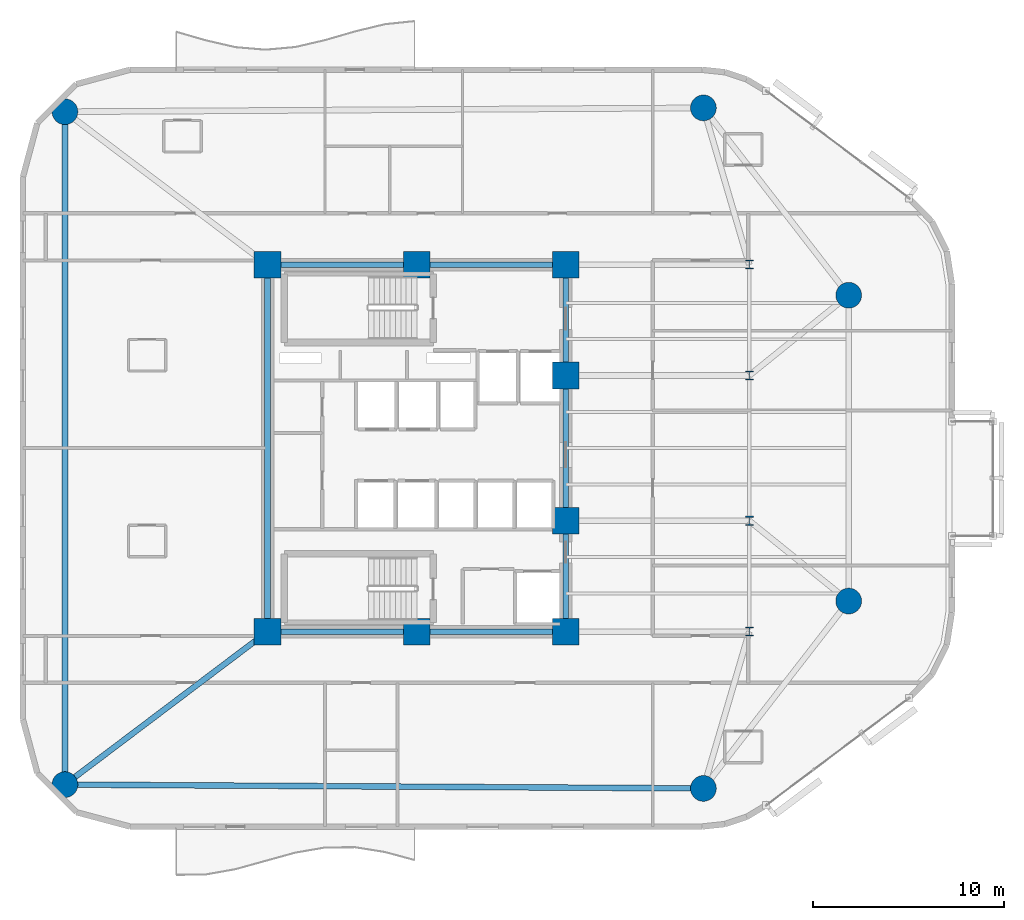
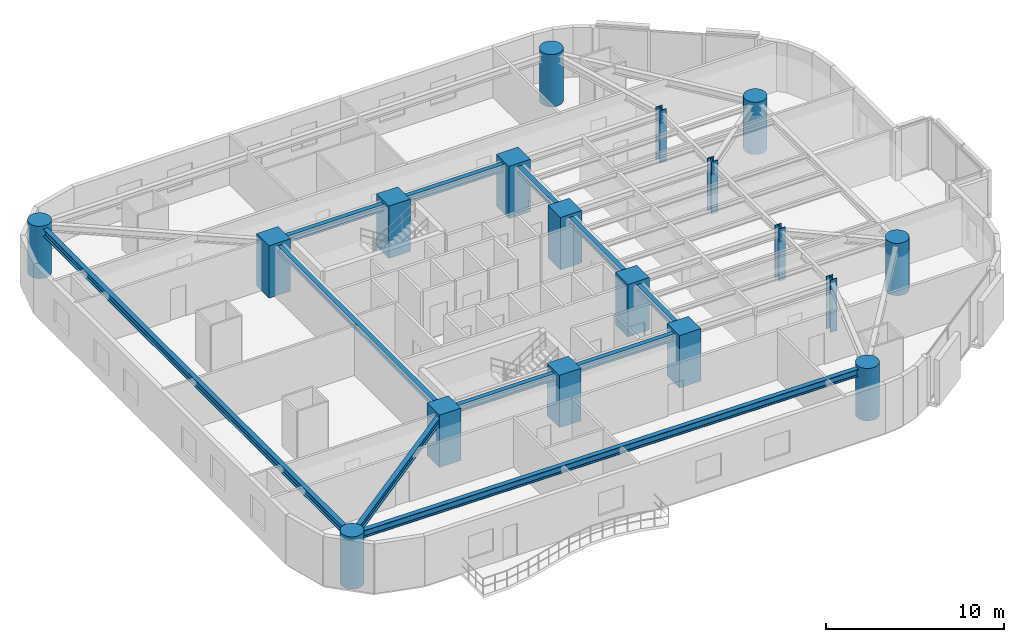
# One storey, part 1 of 13: 18 columns, 9 beams.
"""IFC4 building model written with IfcOpenShell, lengths in metres."""

from ifc_helpers import new_model, si_unit, direction, frame, origin, origin_2d, place, context, subcontext, project, spatial, rectangle, circle, i_section, extrude, material, material_profile, profile_set, type_object, element, save


model = new_model("IFC4")

# Units and contexts
model_context = context("Model", 3, precision=1e-05, world=origin(), true_north=direction((0.0, 1.0)))
body_context = subcontext(model_context, "Body", "Model", "MODEL_VIEW")
ifc_project = project(units=[si_unit("LENGTHUNIT", "METRE"), si_unit("AREAUNIT", "SQUARE_METRE"), si_unit("VOLUMEUNIT", "CUBIC_METRE"), si_unit("PLANEANGLEUNIT", "RADIAN"), si_unit("MASSUNIT", "GRAM", prefix="KILO")], contexts=[model_context])

# Site, building, storey
site_placement = place(None, origin())
site = spatial("IfcSite", under=ifc_project, at=site_placement, CompositionType="ELEMENT")
building_placement = place(site_placement, origin())
building = spatial("IfcBuilding", under=site, at=building_placement, Name="An Khanh Terracotta Commons", CompositionType="ELEMENT")
storey_placement = place(building_placement, frame((0.0, 0.0, 125.89990234375)))
storey = spatial("IfcBuildingStorey", under=building, at=storey_placement, Name="L33", CompositionType="ELEMENT", Elevation=125.89990234375)

# Columns
ifc_material_1 = material(Name="Concrete C70/85", Category="concrete")
ifc_material_profile_1 = material_profile(ifc_material_1, circle(Radius=0.675048828125, at=origin_2d()), Name="CFST1350")
ifc_profile_set_1 = profile_set([ifc_material_profile_1], Name="Concrete C70/85")
column_type_1 = type_object("IfcColumnType", Name="COL-CFST1350", PredefinedType="COLUMN", material=ifc_profile_set_1)
for number, where, z_axis, x_axis, name in (
    (1, (11.0, 6.39990234375, 0.0), (0.0, 0.0, 1.0), (1.0, 0.0, 0.0), "L33 Perimeter CFST Mega-Column MC-01"),
    (2, (44.39990234375, 6.199951171875, 0.0), (0.0, 0.0, 1.0), (1.0, 0.0, 0.0), "L33 Perimeter CFST Mega-Column MC-02"),
    (3, (52.0, 16.0, 0.0), (0.0, 0.0, 1.0), (1.0, 0.0, 0.0), "L33 Perimeter CFST Mega-Column MC-03"),
    (4, (52.0, 32.0, 0.0), (0.0, 0.0, 1.0), (1.0, 0.0, 0.0), "L33 Perimeter CFST Mega-Column MC-04"),
    (5, (44.39990234375, 41.800048828125, 0.0), (0.0, 0.0, 1.0), (1.0, 0.0, 0.0), "L33 Perimeter CFST Mega-Column MC-05"),
    (6, (11.0, 41.60009765625, 0.0), (0.0, 0.0, 1.0), (1.0, 0.0, 0.0), "L33 Perimeter CFST Mega-Column MC-06"),
):
    element("IfcColumn", number, at=place(storey_placement, frame(where, z_axis=z_axis, x_axis=x_axis)), inside=storey, type_object=column_type_1, Name=name, PredefinedType="COLUMN", context=body_context, shape_type="SweptSolid", body=[
        extrude(circle(Radius=0.675048828125, at=origin_2d()), origin(), (0.0, 0.0, 1.0), 3.60009765625),
    ])
ifc_material_2 = material(Name="Steel S460ML", Category="steel")
ifc_material_profile_2 = material_profile(ifc_material_2, i_section(OverallWidth=0.4169921875, OverallDepth=0.47705078125, WebThickness=0.035888671875, FlangeThickness=0.057373046875, FilletRadius=0.014892578125, at=origin_2d()), Name="HD400x463")
ifc_profile_set_2 = profile_set([ifc_material_profile_2], Name="Steel S460ML")
column_type_2 = type_object("IfcColumnType", Name="COL-HD400x463", PredefinedType="COLUMN", material=ifc_profile_set_2)
for number, where, z_axis, x_axis, name in (
    (7, (46.800048828125, 14.39990234375, 0.0), (0.0, 0.0, 1.0), (1.0, 0.0, 0.0), "L33 Interior Frame Column TC-01"),
    (8, (46.800048828125, 20.199951171875, 0.0), (0.0, 0.0, 1.0), (1.0, 0.0, 0.0), "L33 Interior Frame Column TC-02"),
    (9, (46.800048828125, 27.800048828125, 0.0), (0.0, 0.0, 1.0), (1.0, 0.0, 0.0), "L33 Interior Frame Column TC-03"),
    (10, (46.800048828125, 33.60009765625, 0.0), (0.0, 0.0, 1.0), (1.0, 0.0, 0.0), "L33 Interior Frame Column TC-04"),
):
    element("IfcColumn", number, at=place(storey_placement, frame(where, z_axis=z_axis, x_axis=x_axis)), inside=storey, type_object=column_type_2, Name=name, PredefinedType="COLUMN", context=body_context, shape_type="SweptSolid", body=[
        extrude(i_section(OverallWidth=0.4169921875, OverallDepth=0.47705078125, WebThickness=0.035888671875, FlangeThickness=0.057373046875, FilletRadius=0.014892578125, at=origin_2d()), origin(), (0.0, 0.0, 1.0), 3.60009765625),
    ])
ifc_material_profile_3 = material_profile(ifc_material_1, rectangle(XDim=1.39990234375, YDim=1.39990234375, at=origin_2d()), Name="RC1400x1400")
ifc_profile_set_3 = profile_set([ifc_material_profile_3], Name="Concrete C70/85")
column_type_3 = type_object("IfcColumnType", Name="COL-RC1400x1400", PredefinedType="COLUMN", material=ifc_profile_set_3)
for number, where, z_axis, x_axis, name in (
    (11, (21.60009765625, 14.39990234375, 0.0), (0.0, 0.0, 1.0), (1.0, 0.0, 0.0), "L33 Core Boundary Column CC-01"),
    (12, (29.39990234375, 14.39990234375, 0.0), (0.0, 0.0, 1.0), (1.0, 0.0, 0.0), "L33 Core Boundary Column CC-02"),
    (13, (37.199951171875, 14.39990234375, 0.0), (0.0, 0.0, 1.0), (1.0, 0.0, 0.0), "L33 Core Boundary Column CC-03"),
    (14, (37.199951171875, 20.199951171875, 0.0), (0.0, 0.0, 1.0), (1.0, 0.0, 0.0), "L33 Core Boundary Column CC-04"),
    (15, (37.199951171875, 27.800048828125, 0.0), (0.0, 0.0, 1.0), (1.0, 0.0, 0.0), "L33 Core Boundary Column CC-05"),
    (16, (37.199951171875, 33.60009765625, 0.0), (0.0, 0.0, 1.0), (1.0, 0.0, 0.0), "L33 Core Boundary Column CC-06"),
    (17, (29.39990234375, 33.60009765625, 0.0), (0.0, 0.0, 1.0), (1.0, 0.0, 0.0), "L33 Core Boundary Column CC-07"),
    (18, (21.60009765625, 33.60009765625, 0.0), (0.0, 0.0, 1.0), (1.0, 0.0, 0.0), "L33 Core Boundary Column CC-08"),
):
    element("IfcColumn", number, at=place(storey_placement, frame(where, z_axis=z_axis, x_axis=x_axis)), inside=storey, type_object=column_type_3, Name=name, PredefinedType="COLUMN", context=body_context, shape_type="SweptSolid", body=[
        extrude(rectangle(XDim=1.39990234375, YDim=1.39990234375, at=origin_2d()), origin(), (0.0, 0.0, 1.0), 3.60009765625),
    ])

# Beams
ifc_material_3 = material(Name="Steel S355J2", Category="steel")
ifc_material_profile_4 = material_profile(ifc_material_3, i_section(OverallWidth=0.300048828125, OverallDepth=0.449951171875, WebThickness=0.013916015625, FlangeThickness=0.02587890625, FilletRadius=0.027099609375, at=origin_2d()), Name="HEB450")
ifc_profile_set_4 = profile_set([ifc_material_profile_4], Name="Steel S355J2")
beam_type_1 = type_object("IfcBeamType", Name="BM-HEB450", PredefinedType="BEAM", material=ifc_profile_set_4)
beam_1_placement = place(storey_placement, frame((37.199951171875, 14.39990234375, 3.175048828125), z_axis=(0.0, 1.0, 0.0), x_axis=(-1.0, 0.0, 0.0)))
element("IfcBeam", 19, at=beam_1_placement, inside=storey, type_object=beam_type_1, Name="L33 Core East Coupling Girder 1", PredefinedType="BEAM", context=body_context, shape_type="SweptSolid", body=[
    extrude(i_section(OverallWidth=0.300048828125, OverallDepth=0.449951171875, WebThickness=0.013916015625, FlangeThickness=0.02587890625, FilletRadius=0.027099609375, at=origin_2d()), origin(), (0.0, 0.0, 1.0), 5.800048828125),
])
beam_2_placement = place(storey_placement, frame((37.199951171875, 20.199951171875, 3.175048828125), z_axis=(0.0, 1.0, 0.0), x_axis=(-1.0, 0.0, 0.0)))
element("IfcBeam", 20, at=beam_2_placement, inside=storey, type_object=beam_type_1, Name="L33 Core East Coupling Girder 2", PredefinedType="BEAM", context=body_context, shape_type="SweptSolid", body=[
    extrude(i_section(OverallWidth=0.300048828125, OverallDepth=0.449951171875, WebThickness=0.013916015625, FlangeThickness=0.02587890625, FilletRadius=0.027099609375, at=origin_2d()), origin(), (0.0, 0.0, 1.0), 7.60009765625),
])
beam_3_placement = place(storey_placement, frame((37.199951171875, 27.800048828125, 3.175048828125), z_axis=(0.0, 1.0, 0.0), x_axis=(-1.0, 0.0, 0.0)))
element("IfcBeam", 21, at=beam_3_placement, inside=storey, type_object=beam_type_1, Name="L33 Core East Coupling Girder 3", PredefinedType="BEAM", context=body_context, shape_type="SweptSolid", body=[
    extrude(i_section(OverallWidth=0.300048828125, OverallDepth=0.449951171875, WebThickness=0.013916015625, FlangeThickness=0.02587890625, FilletRadius=0.027099609375, at=origin_2d()), origin(), (0.0, 0.0, 1.0), 5.800048828125),
])
beam_4_placement = place(storey_placement, frame((21.60009765625, 14.39990234375, 3.175048828125), z_axis=(0.0, 1.0, 0.0), x_axis=(-1.0, 0.0, 0.0)))
element("IfcBeam", 22, at=beam_4_placement, inside=storey, type_object=beam_type_1, Name="L33 Core West Coupling Girder", PredefinedType="BEAM", context=body_context, shape_type="SweptSolid", body=[
    extrude(i_section(OverallWidth=0.300048828125, OverallDepth=0.449951171875, WebThickness=0.013916015625, FlangeThickness=0.02587890625, FilletRadius=0.027099609375, at=origin_2d()), origin(), (0.0, 0.0, 1.0), 19.2001953125),
])
ifc_material_profile_5 = material_profile(ifc_material_3, i_section(OverallWidth=0.300048828125, OverallDepth=0.5, WebThickness=0.014404296875, FlangeThickness=0.028076171875, FilletRadius=0.027099609375, at=origin_2d()), Name="HEB500")
ifc_profile_set_5 = profile_set([ifc_material_profile_5], Name="Steel S355J2")
beam_type_2 = type_object("IfcBeamType", Name="BM-HEB500", PredefinedType="BEAM", material=ifc_profile_set_5)
for number, where, z_axis, x_axis, name in (
    (23, (21.60009765625, 14.39990234375, 3.150146484375), (1.0, 0.0, 0.0), (0.0, 1.0, 0.0), "L33 Core South Coupling Girder"),
    (24, (21.60009765625, 33.60009765625, 3.150146484375), (1.0, 0.0, 0.0), (0.0, 1.0, 0.0), "L33 Core North Coupling Girder"),
):
    element("IfcBeam", number, at=place(storey_placement, frame(where, z_axis=z_axis, x_axis=x_axis)), inside=storey, type_object=beam_type_2, Name=name, PredefinedType="BEAM", context=body_context, shape_type="SweptSolid", body=[
        extrude(i_section(OverallWidth=0.300048828125, OverallDepth=0.5, WebThickness=0.014404296875, FlangeThickness=0.028076171875, FilletRadius=0.027099609375, at=origin_2d()), origin(), (0.0, 0.0, 1.0), 15.599853515625),
    ])
beam_5_placement = place(storey_placement, frame((11.0, 6.39990234375, 3.150146484375), z_axis=(0.999982080914, -0.005986472262, 0.0), x_axis=(0.005986472262, 0.999982080914, 0.0)))
element("IfcBeam", 25, at=beam_5_placement, inside=storey, type_object=beam_type_2, Name="L33 Perimeter Ring Spandrel 1", PredefinedType="BEAM", context=body_context, shape_type="SweptSolid", body=[
    extrude(i_section(OverallWidth=0.300048828125, OverallDepth=0.5, WebThickness=0.014404296875, FlangeThickness=0.028076171875, FilletRadius=0.027099609375, at=origin_2d()), origin(), (0.0, 0.0, 1.0), 33.400390625),
])
beam_6_placement = place(storey_placement, frame((11.0, 41.60009765625, 3.150146484375), z_axis=(0.0, -1.0, 0.0), x_axis=(1.0, 0.0, 0.0)))
element("IfcBeam", 26, at=beam_6_placement, inside=storey, type_object=beam_type_2, Name="L33 Perimeter Ring Spandrel 6", PredefinedType="BEAM", context=body_context, shape_type="SweptSolid", body=[
    extrude(i_section(OverallWidth=0.300048828125, OverallDepth=0.5, WebThickness=0.014404296875, FlangeThickness=0.028076171875, FilletRadius=0.027099609375, at=origin_2d()), origin(), (0.0, 0.0, 1.0), 35.2001953125),
])
beam_7_placement = place(storey_placement, frame((11.0, 6.39990234375, 3.150146484375), z_axis=(0.798191818888, 0.602403370061, 0.0), x_axis=(-0.602403370061, 0.798191818888, 0.0)))
element("IfcBeam", 27, at=beam_7_placement, inside=storey, type_object=beam_type_2, Name="L33 Mega-Column Tie Girder 1", PredefinedType="BEAM", context=body_context, shape_type="SweptSolid", body=[
    extrude(i_section(OverallWidth=0.300048828125, OverallDepth=0.5, WebThickness=0.014404296875, FlangeThickness=0.028076171875, FilletRadius=0.027099609375, at=origin_2d()), origin(), (0.0, 0.0, 1.0), 13.280029296875),
])

save(model, "model.ifc")
